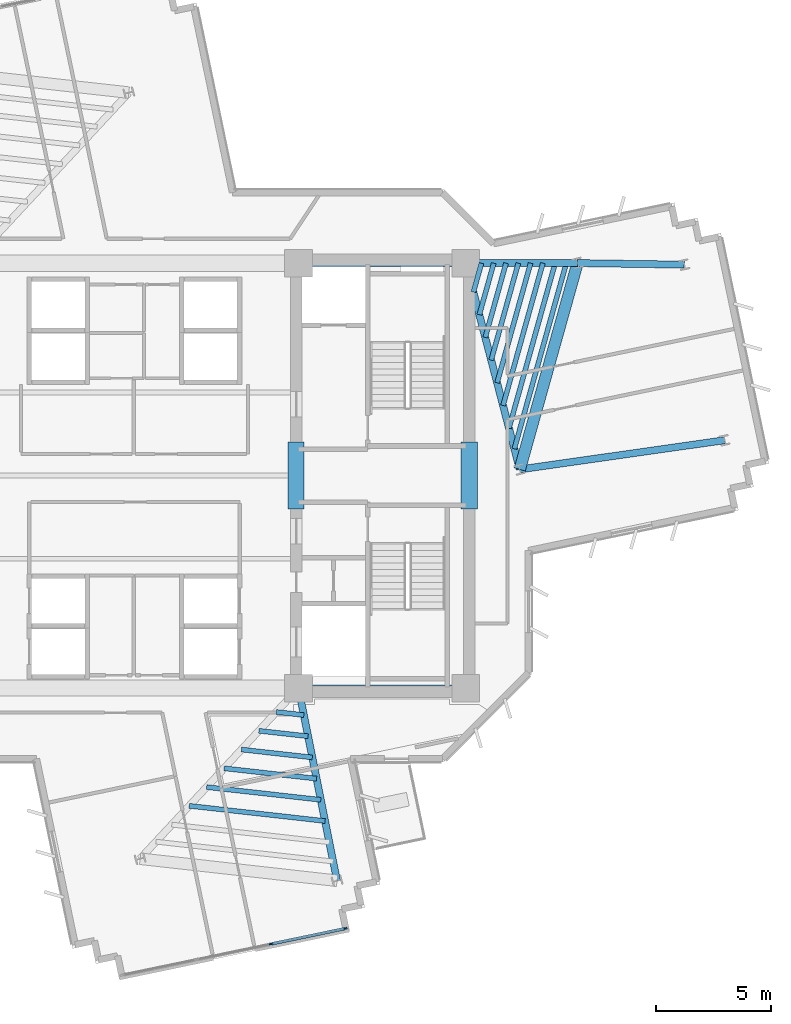
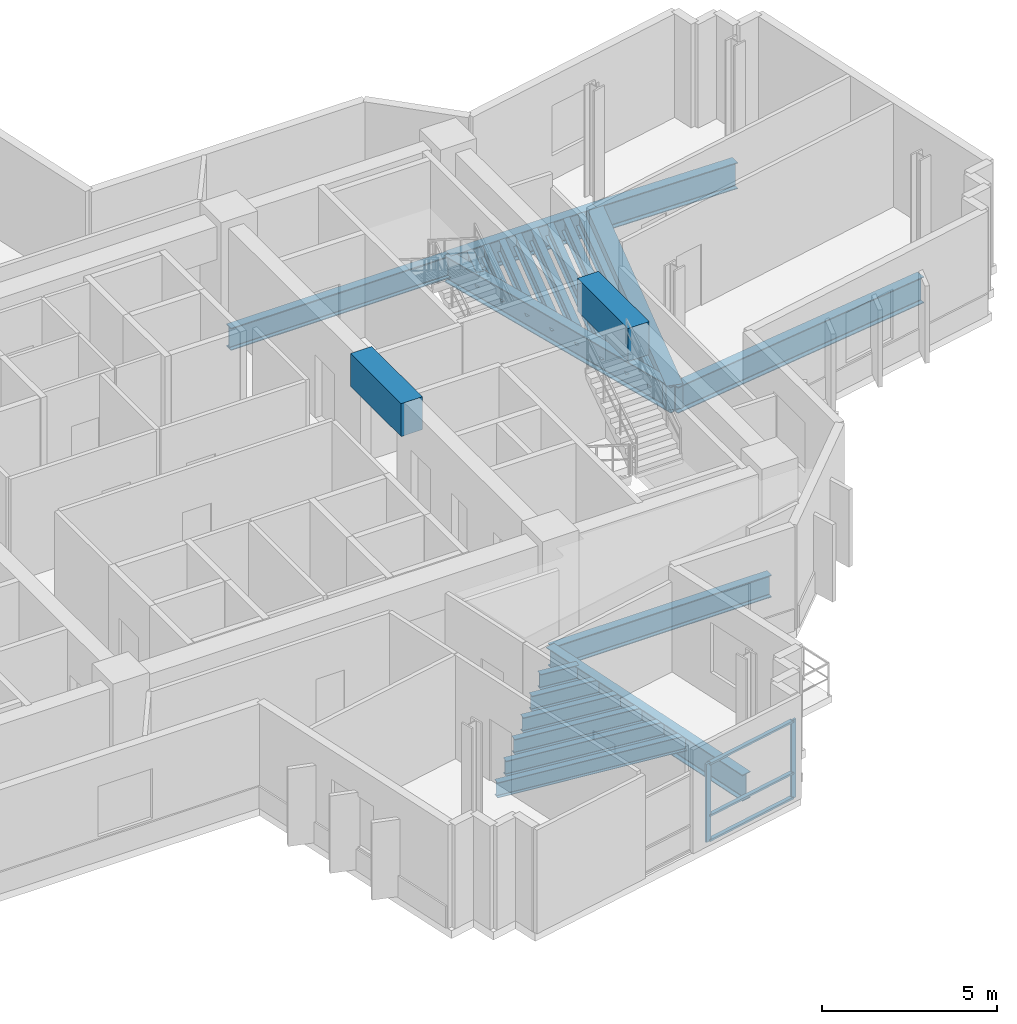
# One storey, part 4 of 14: 24 beams, 5 members, 1 element without a shape of its own.
"""IFC4 building model written with IfcOpenShell, lengths in metres."""

from ifc_helpers import new_model, si_unit, direction, frame, origin, origin_2d, place, context, subcontext, project, spatial, rectangle, i_section, extrude, source, transform, mapped, material, layer, layer_set, material_profile, profile_set, type_object, element, aggregate, save


model = new_model("IFC4")

# Units and contexts
model_context = context("Model", 3, precision=1e-05, world=origin(), true_north=direction((0.0, 1.0)))
body_context = subcontext(model_context, "Body", "Model", "MODEL_VIEW")
ifc_project = project(units=[si_unit("LENGTHUNIT", "METRE"), si_unit("AREAUNIT", "SQUARE_METRE"), si_unit("VOLUMEUNIT", "CUBIC_METRE"), si_unit("PLANEANGLEUNIT", "RADIAN"), si_unit("MASSUNIT", "GRAM", prefix="KILO")], contexts=[model_context])

# Site, building, storey
site_placement = place(None, origin())
site = spatial("IfcSite", under=ifc_project, at=site_placement, CompositionType="ELEMENT")
building_placement = place(site_placement, origin())
building = spatial("IfcBuilding", under=site, at=building_placement, Name="Zahravan Cultural Tower", CompositionType="ELEMENT")
storey_placement = place(building_placement, frame((0.0, 0.0, 166.800048828125)))
storey = spatial("IfcBuildingStorey", under=building, at=storey_placement, Name="L38", CompositionType="ELEMENT", Elevation=166.800048828125)

# Beams
ifc_material_1 = material(Name="Concrete C50/60", Category="concrete")
ifc_material_profile_1 = material_profile(ifc_material_1, rectangle(XDim=0.699951171875, YDim=1.14990234375, at=origin_2d()), Name="RC700X1150")
ifc_profile_set_1 = profile_set([ifc_material_profile_1], Name="Concrete C50/60")
beam_type_1 = type_object("IfcBeamType", Name="BM-LN-RC700X1150", PredefinedType="LINTEL", material=ifc_profile_set_1)
shared_shape_1 = source(origin(), body_context, "Body", "SweptSolid", [
    extrude(rectangle(XDim=0.699951171875, YDim=1.14990234375, at=origin_2d()), origin(), (0.0, 0.0, 1.0), 2.89990234375),
])
for number, where, z_axis, x_axis, name in (
    (1, (43.0, 25.550048828125, 3.044921875), (0.0, 1.0, 0.0), (-1.0, 0.0, 0.0), "L38 Beam LN-L38-PEW"),
    (2, (50.5, 25.550048828125, 3.044921875), (0.0, 1.0, 0.0), (-1.0, 0.0, 0.0), "L38 Beam LN-L38-PEE"),
):
    element("IfcBeam", number, at=place(storey_placement, frame(where, z_axis=z_axis, x_axis=x_axis)), inside=storey, type_object=beam_type_1, Name=name, PredefinedType="LINTEL", context=body_context, shape_type="MappedRepresentation", body=[
        mapped(shared_shape_1, transform((0.0, 0.0, 0.0), x_axis=(1.0, 0.0, 0.0), y_axis=(0.0, 1.0, 0.0), z_axis=(0.0, 0.0, 1.0), scale=1.0)),
    ])
ifc_material_2 = material(Name="Steel ASTM A992 Grade 50", Category="steel")
ifc_material_profile_2 = material_profile(ifc_material_2, i_section(OverallWidth=0.26611328125, OverallDepth=0.780029296875, WebThickness=0.0166015625, FlangeThickness=0.030029296875, FilletRadius=0.01904296875, at=origin_2d()), Name="W30X148")
ifc_profile_set_2 = profile_set([ifc_material_profile_2], Name="Steel ASTM A992 Grade 50")
beam_type_2 = type_object("IfcBeamType", Name="BM-G-W30X148", PredefinedType="BEAM", material=ifc_profile_set_2)
shared_shape_2 = source(origin(), body_context, "Body", "SweptSolid", [
    extrude(i_section(OverallWidth=0.26611328125, OverallDepth=0.780029296875, WebThickness=0.0166015625, FlangeThickness=0.030029296875, FilletRadius=0.01904296875, at=origin_2d()), origin(), (0.0, 0.0, 1.0), 7.25),
])
for number, where, z_axis, x_axis, name in (
    (3, (43.10009765625, 17.800048828125, -0.670166015625), (1.0, 0.0, 0.0), (0.0, 1.0, 0.0), "L38 Beam BG-L38-04"),
    (4, (43.10009765625, 36.199951171875, -0.670166015625), (1.0, 0.0, 0.0), (0.0, 1.0, 0.0), "L38 Beam BG-L38-05"),
):
    element("IfcBeam", number, at=place(storey_placement, frame(where, z_axis=z_axis, x_axis=x_axis)), inside=storey, type_object=beam_type_2, Name=name, PredefinedType="BEAM", context=body_context, shape_type="MappedRepresentation", body=[
        mapped(shared_shape_2, transform((0.0, 0.0, 0.0), x_axis=(1.0, 0.0, 0.0), y_axis=(0.0, 1.0, 0.0), z_axis=(0.0, 0.0, 1.0), scale=1.0)),
    ])
ifc_material_profile_3 = material_profile(ifc_material_2, i_section(OverallWidth=0.304931640625, OverallDepth=0.9189453125, WebThickness=0.017333984375, FlangeThickness=0.02783203125, FilletRadius=0.02392578125, at=origin_2d()), Name="W36X170")
ifc_profile_set_3 = profile_set([ifc_material_profile_3], Name="Steel ASTM A992 Grade 50")
beam_type_3 = type_object("IfcBeamType", Name="BM-G-W36X170", PredefinedType="BEAM", material=ifc_profile_set_3)
shared_shape_3 = source(origin(), body_context, "Body", "SweptSolid", [
    extrude(i_section(OverallWidth=0.304931640625, OverallDepth=0.9189453125, WebThickness=0.017333984375, FlangeThickness=0.02783203125, FilletRadius=0.02392578125, at=origin_2d()), origin(), (0.0, 0.0, 1.0), 9.22900390625),
])
beam_1_placement = place(storey_placement, frame((50.35009765625, 36.199951171875, -0.739501953125), z_axis=(0.252922608408, -0.967486513682, 0.0), x_axis=(0.967486513682, 0.252922608408, 0.0)))
element("IfcBeam", 5, at=beam_1_placement, inside=storey, type_object=beam_type_3, Name="L38 Beam BG-L38-11", PredefinedType="BEAM", context=body_context, shape_type="MappedRepresentation", body=[
    mapped(shared_shape_3, transform((0.0, 0.0, 0.0), x_axis=(1.0, 0.0, 0.0), y_axis=(0.0, 1.0, 0.0), z_axis=(0.0, 0.0, 1.0), scale=1.0)),
])
shared_shape_4 = source(origin(), body_context, "Body", "SweptSolid", [
    extrude(i_section(OverallWidth=0.304931640625, OverallDepth=0.9189453125, WebThickness=0.017333984375, FlangeThickness=0.02783203125, FilletRadius=0.02392578125, at=origin_2d()), origin(), (0.0, 0.0, 1.0), 4.834716796875),
])
beam_2_placement = place(storey_placement, frame((50.35009765625, 36.199951171875, -0.739501953125), z_axis=(0.99999920313, 0.001262433979, 0.0), x_axis=(-0.001262433979, 0.99999920313, 0.0)))
element("IfcBeam", 6, at=beam_2_placement, inside=storey, type_object=beam_type_3, Name="L38 Beam BG-L38-12", PredefinedType="BEAM", context=body_context, shape_type="MappedRepresentation", body=[
    mapped(shared_shape_4, transform((0.0, 0.0, 0.0), x_axis=(1.0, 0.0, 0.0), y_axis=(0.0, 1.0, 0.0), z_axis=(0.0, 0.0, 1.0), scale=1.0)),
])
shared_shape_5 = source(origin(), body_context, "Body", "SweptSolid", [
    extrude(i_section(OverallWidth=0.304931640625, OverallDepth=0.9189453125, WebThickness=0.017333984375, FlangeThickness=0.02783203125, FilletRadius=0.02392578125, at=origin_2d()), origin(), (0.0, 0.0, 1.0), 8.50732421875),
])
beam_3_placement = place(storey_placement, frame((43.10009765625, 17.800048828125, -0.739501953125), z_axis=(0.196524514012, -0.980498911469, 0.0), x_axis=(0.980498911469, 0.196524514012, 0.0)))
element("IfcBeam", 7, at=beam_3_placement, inside=storey, type_object=beam_type_3, Name="L38 Beam BG-L38-10", PredefinedType="BEAM", context=body_context, shape_type="MappedRepresentation", body=[
    mapped(shared_shape_5, transform((0.0, 0.0, 0.0), x_axis=(1.0, 0.0, 0.0), y_axis=(0.0, 1.0, 0.0), z_axis=(0.0, 0.0, 1.0), scale=1.0)),
])
shared_shape_6 = source(origin(), body_context, "Body", "SweptSolid", [
    extrude(i_section(OverallWidth=0.304931640625, OverallDepth=0.9189453125, WebThickness=0.017333984375, FlangeThickness=0.02783203125, FilletRadius=0.02392578125, at=origin_2d()), origin(), (0.0, 0.0, 1.0), 8.9580078125),
])
beam_4_placement = place(storey_placement, frame((52.684326171875, 27.27099609375, -0.739501953125), z_axis=(0.990000122431, 0.141066500584, 0.0), x_axis=(-0.141066500584, 0.990000122431, 0.0)))
element("IfcBeam", 8, at=beam_4_placement, inside=storey, type_object=beam_type_3, Name="L38 Beam BG-L38-15", PredefinedType="BEAM", context=body_context, shape_type="MappedRepresentation", body=[
    mapped(shared_shape_6, transform((0.0, 0.0, 0.0), x_axis=(1.0, 0.0, 0.0), y_axis=(0.0, 1.0, 0.0), z_axis=(0.0, 0.0, 1.0), scale=1.0)),
])
shared_shape_7 = source(origin(), body_context, "Body", "SweptSolid", [
    extrude(i_section(OverallWidth=0.304931640625, OverallDepth=0.9189453125, WebThickness=0.017333984375, FlangeThickness=0.02783203125, FilletRadius=0.02392578125, at=origin_2d()), origin(), (0.0, 0.0, 1.0), 4.622314453125),
])
beam_5_placement = place(storey_placement, frame((55.184814453125, 36.2060546875, -0.739501953125), z_axis=(0.999889070044, -0.014894549562, 0.0), x_axis=(0.014894549562, 0.999889070044, 0.0)))
element("IfcBeam", 9, at=beam_5_placement, inside=storey, type_object=beam_type_3, Name="L38 Beam BG-L38-16", PredefinedType="BEAM", context=body_context, shape_type="MappedRepresentation", body=[
    mapped(shared_shape_7, transform((0.0, 0.0, 0.0), x_axis=(1.0, 0.0, 0.0), y_axis=(0.0, 1.0, 0.0), z_axis=(0.0, 0.0, 1.0), scale=1.0)),
])
ifc_material_profile_4 = material_profile(ifc_material_1, rectangle(XDim=0.5, YDim=0.85009765625, at=origin_2d()), Name="RC500X850")
ifc_profile_set_4 = profile_set([ifc_material_profile_4], Name="Concrete C50/60")
beam_type_4 = type_object("IfcBeamType", Name="BM-SP-RC500X850", PredefinedType="SPANDREL", material=ifc_profile_set_4)
shared_shape_8 = source(origin(), body_context, "Body", "SweptSolid", [
    extrude(rectangle(XDim=0.5, YDim=0.85009765625, at=origin_2d()), origin(), (0.0, 0.0, 1.0), 9.2783203125),
])
beam_6_placement = place(storey_placement, frame((52.684326171875, 27.27099609375, -0.705078125), z_axis=(0.269497187032, 0.963001176625, 0.0), x_axis=(-0.963001176625, 0.269497187032, 0.0)))
element("IfcBeam", 10, at=beam_6_placement, inside=storey, type_object=beam_type_4, Name="L38 Beam SP-L38-21", PredefinedType="SPANDREL", context=body_context, shape_type="MappedRepresentation", body=[
    mapped(shared_shape_8, transform((0.0, 0.0, 0.0), x_axis=(1.0, 0.0, 0.0), y_axis=(0.0, 1.0, 0.0), z_axis=(0.0, 0.0, 1.0), scale=1.0)),
])
ifc_material_profile_5 = material_profile(ifc_material_2, i_section(OverallWidth=0.2099609375, OverallDepth=0.532958984375, WebThickness=0.01025390625, FlangeThickness=0.015625, FilletRadius=0.013916015625, at=origin_2d()), Name="W21X62")
ifc_profile_set_5 = profile_set([ifc_material_profile_5], Name="Steel ASTM A992 Grade 50")
beam_type_5 = type_object("IfcBeamType", Name="BM-J-W21X62", PredefinedType="JOIST", material=ifc_profile_set_5)
shared_shape_9 = source(origin(), body_context, "Body", "SweptSolid", [
    extrude(i_section(OverallWidth=0.2099609375, OverallDepth=0.532958984375, WebThickness=0.01025390625, FlangeThickness=0.015625, FilletRadius=0.013916015625, at=origin_2d()), origin(), (0.0, 0.0, 1.0), 1.299072265625),
])
beam_7_placement = place(storey_placement, frame((50.6767578125, 34.949951171875, -0.546630859375), z_axis=(0.269504444708, 0.962999145525, 0.0), x_axis=(-0.962999145525, 0.269504444708, 0.0)))
element("IfcBeam", 11, at=beam_7_placement, inside=storey, type_object=beam_type_5, Name="L38 Beam BJ-L38-42", PredefinedType="JOIST", context=body_context, shape_type="MappedRepresentation", body=[
    mapped(shared_shape_9, transform((0.0, 0.0, 0.0), x_axis=(1.0, 0.0, 0.0), y_axis=(0.0, 1.0, 0.0), z_axis=(0.0, 0.0, 1.0), scale=1.0)),
])
shared_shape_10 = source(origin(), body_context, "Body", "SweptSolid", [
    extrude(i_section(OverallWidth=0.2099609375, OverallDepth=0.532958984375, WebThickness=0.01025390625, FlangeThickness=0.015625, FilletRadius=0.013916015625, at=origin_2d()), origin(), (0.0, 0.0, 1.0), 2.3193359375),
])
beam_8_placement = place(storey_placement, frame((50.93359375, 33.9677734375, -0.546630859375), z_axis=(0.269462038626, 0.963011012263, 0.0), x_axis=(-0.963011012263, 0.269462038626, 0.0)))
element("IfcBeam", 12, at=beam_8_placement, inside=storey, type_object=beam_type_5, Name="L38 Beam BJ-L38-43", PredefinedType="JOIST", context=body_context, shape_type="MappedRepresentation", body=[
    mapped(shared_shape_10, transform((0.0, 0.0, 0.0), x_axis=(1.0, 0.0, 0.0), y_axis=(0.0, 1.0, 0.0), z_axis=(0.0, 0.0, 1.0), scale=1.0)),
])
shared_shape_11 = source(origin(), body_context, "Body", "SweptSolid", [
    extrude(i_section(OverallWidth=0.2099609375, OverallDepth=0.532958984375, WebThickness=0.01025390625, FlangeThickness=0.015625, FilletRadius=0.013916015625, at=origin_2d()), origin(), (0.0, 0.0, 1.0), 3.340087890625),
])
beam_9_placement = place(storey_placement, frame((51.190185546875, 32.985595703125, -0.546630859375), z_axis=(0.269562146951, 0.962982995141, 0.0), x_axis=(-0.962982995141, 0.269562146951, 0.0)))
element("IfcBeam", 13, at=beam_9_placement, inside=storey, type_object=beam_type_5, Name="L38 Beam BJ-L38-44", PredefinedType="JOIST", context=body_context, shape_type="MappedRepresentation", body=[
    mapped(shared_shape_11, transform((0.0, 0.0, 0.0), x_axis=(1.0, 0.0, 0.0), y_axis=(0.0, 1.0, 0.0), z_axis=(0.0, 0.0, 1.0), scale=1.0)),
])
shared_shape_12 = source(origin(), body_context, "Body", "SweptSolid", [
    extrude(i_section(OverallWidth=0.2099609375, OverallDepth=0.532958984375, WebThickness=0.01025390625, FlangeThickness=0.015625, FilletRadius=0.013916015625, at=origin_2d()), origin(), (0.0, 0.0, 1.0), 4.36083984375),
])
beam_10_placement = place(storey_placement, frame((51.447021484375, 32.00341796875, -0.546630859375), z_axis=(0.269511557673, 0.962997154866, 0.0), x_axis=(-0.962997154866, 0.269511557673, 0.0)))
element("IfcBeam", 14, at=beam_10_placement, inside=storey, type_object=beam_type_5, Name="L38 Beam BJ-L38-45", PredefinedType="JOIST", context=body_context, shape_type="MappedRepresentation", body=[
    mapped(shared_shape_12, transform((0.0, 0.0, 0.0), x_axis=(1.0, 0.0, 0.0), y_axis=(0.0, 1.0, 0.0), z_axis=(0.0, 0.0, 1.0), scale=1.0)),
])
shared_shape_13 = source(origin(), body_context, "Body", "SweptSolid", [
    extrude(i_section(OverallWidth=0.2099609375, OverallDepth=0.532958984375, WebThickness=0.01025390625, FlangeThickness=0.015625, FilletRadius=0.013916015625, at=origin_2d()), origin(), (0.0, 0.0, 1.0), 5.3818359375),
])
beam_11_placement = place(storey_placement, frame((51.703857421875, 31.02099609375, -0.546630859375), z_axis=(0.269510454638, 0.962997463569, 0.0), x_axis=(-0.962997463569, 0.269510454638, 0.0)))
element("IfcBeam", 15, at=beam_11_placement, inside=storey, type_object=beam_type_5, Name="L38 Beam BJ-L38-46", PredefinedType="JOIST", context=body_context, shape_type="MappedRepresentation", body=[
    mapped(shared_shape_13, transform((0.0, 0.0, 0.0), x_axis=(1.0, 0.0, 0.0), y_axis=(0.0, 1.0, 0.0), z_axis=(0.0, 0.0, 1.0), scale=1.0)),
])
shared_shape_14 = source(origin(), body_context, "Body", "SweptSolid", [
    extrude(i_section(OverallWidth=0.2099609375, OverallDepth=0.532958984375, WebThickness=0.01025390625, FlangeThickness=0.015625, FilletRadius=0.013916015625, at=origin_2d()), origin(), (0.0, 0.0, 1.0), 6.402099609375),
])
beam_12_placement = place(storey_placement, frame((51.960693359375, 30.038818359375, -0.546630859375), z_axis=(0.269494133533, 0.963002031146, 0.0), x_axis=(-0.963002031146, 0.269494133533, 0.0)))
element("IfcBeam", 16, at=beam_12_placement, inside=storey, type_object=beam_type_5, Name="L38 Beam BJ-L38-47", PredefinedType="JOIST", context=body_context, shape_type="MappedRepresentation", body=[
    mapped(shared_shape_14, transform((0.0, 0.0, 0.0), x_axis=(1.0, 0.0, 0.0), y_axis=(0.0, 1.0, 0.0), z_axis=(0.0, 0.0, 1.0), scale=1.0)),
])
shared_shape_15 = source(origin(), body_context, "Body", "SweptSolid", [
    extrude(i_section(OverallWidth=0.2099609375, OverallDepth=0.532958984375, WebThickness=0.01025390625, FlangeThickness=0.015625, FilletRadius=0.013916015625, at=origin_2d()), origin(), (0.0, 0.0, 1.0), 7.4228515625),
])
beam_13_placement = place(storey_placement, frame((52.21728515625, 29.056640625, -0.546630859375), z_axis=(0.269504266128, 0.962999195503, 0.0), x_axis=(-0.962999195503, 0.269504266128, 0.0)))
element("IfcBeam", 17, at=beam_13_placement, inside=storey, type_object=beam_type_5, Name="L38 Beam BJ-L38-48", PredefinedType="JOIST", context=body_context, shape_type="MappedRepresentation", body=[
    mapped(shared_shape_15, transform((0.0, 0.0, 0.0), x_axis=(1.0, 0.0, 0.0), y_axis=(0.0, 1.0, 0.0), z_axis=(0.0, 0.0, 1.0), scale=1.0)),
])
shared_shape_16 = source(origin(), body_context, "Body", "SweptSolid", [
    extrude(i_section(OverallWidth=0.2099609375, OverallDepth=0.532958984375, WebThickness=0.01025390625, FlangeThickness=0.015625, FilletRadius=0.013916015625, at=origin_2d()), origin(), (0.0, 0.0, 1.0), 8.350830078125),
])
beam_14_placement = place(storey_placement, frame((52.450927734375, 28.163818359375, -0.546630859375), z_axis=(0.269496539555, 0.963001357822, 0.0), x_axis=(-0.963001357822, 0.269496539555, 0.0)))
element("IfcBeam", 18, at=beam_14_placement, inside=storey, type_object=beam_type_5, Name="L38 Beam BJ-L38-49", PredefinedType="JOIST", context=body_context, shape_type="MappedRepresentation", body=[
    mapped(shared_shape_16, transform((0.0, 0.0, 0.0), x_axis=(1.0, 0.0, 0.0), y_axis=(0.0, 1.0, 0.0), z_axis=(0.0, 0.0, 1.0), scale=1.0)),
])
shared_shape_17 = source(origin(), body_context, "Body", "SweptSolid", [
    extrude(i_section(OverallWidth=0.2099609375, OverallDepth=0.532958984375, WebThickness=0.01025390625, FlangeThickness=0.015625, FilletRadius=0.013916015625, at=origin_2d()), origin(), (0.0, 0.0, 1.0), 1.201171875),
])
beam_15_placement = place(storey_placement, frame((42.140380859375, 16.765625, -0.546630859375), z_axis=(0.99379916149, -0.111190047317, 0.0), x_axis=(0.111190047317, 0.99379916149, 0.0)))
element("IfcBeam", 19, at=beam_15_placement, inside=storey, type_object=beam_type_5, Name="L38 Beam BJ-L38-34", PredefinedType="JOIST", context=body_context, shape_type="MappedRepresentation", body=[
    mapped(shared_shape_17, transform((0.0, 0.0, 0.0), x_axis=(1.0, 0.0, 0.0), y_axis=(0.0, 1.0, 0.0), z_axis=(0.0, 0.0, 1.0), scale=1.0)),
])
shared_shape_18 = source(origin(), body_context, "Body", "SweptSolid", [
    extrude(i_section(OverallWidth=0.2099609375, OverallDepth=0.532958984375, WebThickness=0.01025390625, FlangeThickness=0.015625, FilletRadius=0.013916015625, at=origin_2d()), origin(), (0.0, 0.0, 1.0), 2.144775390625),
])
beam_16_placement = place(storey_placement, frame((41.386474609375, 15.953125, -0.546630859375), z_axis=(0.993797370806, -0.111206051, 0.0), x_axis=(0.111206051, 0.993797370806, 0.0)))
element("IfcBeam", 20, at=beam_16_placement, inside=storey, type_object=beam_type_5, Name="L38 Beam BJ-L38-35", PredefinedType="JOIST", context=body_context, shape_type="MappedRepresentation", body=[
    mapped(shared_shape_18, transform((0.0, 0.0, 0.0), x_axis=(1.0, 0.0, 0.0), y_axis=(0.0, 1.0, 0.0), z_axis=(0.0, 0.0, 1.0), scale=1.0)),
])
shared_shape_19 = source(origin(), body_context, "Body", "SweptSolid", [
    extrude(i_section(OverallWidth=0.2099609375, OverallDepth=0.532958984375, WebThickness=0.01025390625, FlangeThickness=0.015625, FilletRadius=0.013916015625, at=origin_2d()), origin(), (0.0, 0.0, 1.0), 3.088623046875),
])
beam_17_placement = place(storey_placement, frame((40.63232421875, 15.140380859375, -0.546630859375), z_axis=(0.993805407368, -0.111134208443, 0.0), x_axis=(0.111134208443, 0.993805407368, 0.0)))
element("IfcBeam", 21, at=beam_17_placement, inside=storey, type_object=beam_type_5, Name="L38 Beam BJ-L38-36", PredefinedType="JOIST", context=body_context, shape_type="MappedRepresentation", body=[
    mapped(shared_shape_19, transform((0.0, 0.0, 0.0), x_axis=(1.0, 0.0, 0.0), y_axis=(0.0, 1.0, 0.0), z_axis=(0.0, 0.0, 1.0), scale=1.0)),
])
shared_shape_20 = source(origin(), body_context, "Body", "SweptSolid", [
    extrude(i_section(OverallWidth=0.2099609375, OverallDepth=0.532958984375, WebThickness=0.01025390625, FlangeThickness=0.015625, FilletRadius=0.013916015625, at=origin_2d()), origin(), (0.0, 0.0, 1.0), 4.0322265625),
])
beam_18_placement = place(storey_placement, frame((39.87841796875, 14.327880859375, -0.546630859375), z_axis=(0.993802245601, -0.11116247855, 0.0), x_axis=(0.11116247855, 0.993802245601, 0.0)))
element("IfcBeam", 22, at=beam_18_placement, inside=storey, type_object=beam_type_5, Name="L38 Beam BJ-L38-37", PredefinedType="JOIST", context=body_context, shape_type="MappedRepresentation", body=[
    mapped(shared_shape_20, transform((0.0, 0.0, 0.0), x_axis=(1.0, 0.0, 0.0), y_axis=(0.0, 1.0, 0.0), z_axis=(0.0, 0.0, 1.0), scale=1.0)),
])
shared_shape_21 = source(origin(), body_context, "Body", "SweptSolid", [
    extrude(i_section(OverallWidth=0.2099609375, OverallDepth=0.532958984375, WebThickness=0.01025390625, FlangeThickness=0.015625, FilletRadius=0.013916015625, at=origin_2d()), origin(), (0.0, 0.0, 1.0), 4.97607421875),
])
beam_19_placement = place(storey_placement, frame((39.124267578125, 13.51513671875, -0.546630859375), z_axis=(0.993806308517, -0.111126149723, 0.0), x_axis=(0.111126149723, 0.993806308517, 0.0)))
element("IfcBeam", 23, at=beam_19_placement, inside=storey, type_object=beam_type_5, Name="L38 Beam BJ-L38-38", PredefinedType="JOIST", context=body_context, shape_type="MappedRepresentation", body=[
    mapped(shared_shape_21, transform((0.0, 0.0, 0.0), x_axis=(1.0, 0.0, 0.0), y_axis=(0.0, 1.0, 0.0), z_axis=(0.0, 0.0, 1.0), scale=1.0)),
])
shared_shape_22 = source(origin(), body_context, "Body", "SweptSolid", [
    extrude(i_section(OverallWidth=0.2099609375, OverallDepth=0.532958984375, WebThickness=0.01025390625, FlangeThickness=0.015625, FilletRadius=0.013916015625, at=origin_2d()), origin(), (0.0, 0.0, 1.0), 5.919921875),
])
beam_20_placement = place(storey_placement, frame((38.370361328125, 12.70263671875, -0.546630859375), z_axis=(0.993804520866, -0.111142135602, 0.0), x_axis=(0.111142135602, 0.993804520866, 0.0)))
element("IfcBeam", 24, at=beam_20_placement, inside=storey, type_object=beam_type_5, Name="L38 Beam BJ-L38-39", PredefinedType="JOIST", context=body_context, shape_type="MappedRepresentation", body=[
    mapped(shared_shape_22, transform((0.0, 0.0, 0.0), x_axis=(1.0, 0.0, 0.0), y_axis=(0.0, 1.0, 0.0), z_axis=(0.0, 0.0, 1.0), scale=1.0)),
])

# Curtain wall, members
ifc_material_3 = material(Name="Anodised bronze-aluminium mullion", Category="aluminium")
ifc_layer = layer(ifc_material_3, 0.1650390625)
ifc_layer_set = layer_set([ifc_layer], Name="Anodised bronze-aluminium mullion")
curtain_wall_type = type_object("IfcCurtainWallType", Name="CW-SYS-4", PredefinedType="USERDEFINED", material=ifc_layer_set)
curtain_wall_placement = place(storey_placement, origin())
curtain_wall = element("IfcCurtainWall", 25, at=curtain_wall_placement, inside=storey, type_object=curtain_wall_type, Name="L38 Recessed Curtain Wall CW-4.1", ObjectType="RECESSED GLAZING", PredefinedType="USERDEFINED")
ifc_material_profile_6 = material_profile(ifc_material_3, rectangle(XDim=0.06494140625, YDim=0.1650390625, at=origin_2d()), Name="AL-M65X165")
ifc_profile_set_6 = profile_set([ifc_material_profile_6], Name="Anodised bronze-aluminium mullion")
member_type_1 = type_object("IfcMemberType", Name="CWM-CW-4", PredefinedType="MULLION", material=ifc_profile_set_6)
shared_shape_23 = source(origin(), body_context, "Body", "SweptSolid", [
    extrude(rectangle(XDim=0.06494140625, YDim=0.1650390625, at=origin_2d()), origin(), (0.0, 0.0, 1.0), 2.739990234375),
])
member_1_placement = place(storey_placement, frame((45.123291015625, 7.3896484375, 0.0), z_axis=(0.0, 0.0, 1.0), x_axis=(0.204162369415, -0.978937039301, 0.0)))
member_1 = element("IfcMember", 26, at=member_1_placement, type_object=member_type_1, Name="CW-4 mullion 1", PredefinedType="MULLION", context=body_context, shape_type="MappedRepresentation", body=[
    mapped(shared_shape_23, transform((0.0, 0.0, 0.0), x_axis=(1.0, 0.0, 0.0), y_axis=(0.0, 1.0, 0.0), z_axis=(0.0, 0.0, 1.0), scale=1.0)),
])
member_2_placement = place(storey_placement, frame((41.91796875, 6.72119140625, 0.0), z_axis=(0.0, 0.0, 1.0), x_axis=(0.204162369415, -0.978937039301, 0.0)))
member_2 = element("IfcMember", 27, at=member_2_placement, type_object=member_type_1, Name="CW-4 mullion 2", PredefinedType="MULLION", context=body_context, shape_type="MappedRepresentation", body=[
    mapped(shared_shape_23, transform((0.0, 0.0, 0.0), x_axis=(1.0, 0.0, 0.0), y_axis=(0.0, 1.0, 0.0), z_axis=(0.0, 0.0, 1.0), scale=1.0)),
])
ifc_material_profile_7 = material_profile(ifc_material_3, rectangle(XDim=0.1298828125, YDim=0.06494140625, at=origin_2d()), Name="AL-T65X130")
ifc_profile_set_7 = profile_set([ifc_material_profile_7], Name="Anodised bronze-aluminium mullion")
member_type_2 = type_object("IfcMemberType", Name="CWT-CW-4", PredefinedType="USERDEFINED", material=ifc_profile_set_7)
shared_shape_24 = source(origin(), body_context, "Body", "SweptSolid", [
    extrude(rectangle(XDim=0.1298828125, YDim=0.06494140625, at=origin_2d()), origin(), (0.0, 0.0, 1.0), 3.209228515625),
])
member_3_placement = place(storey_placement, frame((45.091552734375, 7.3828125, 0.032470703125), z_axis=(-0.978947495526, -0.204112226492, 0.0), x_axis=(0.204112226492, -0.978947495526, 0.0)))
member_3 = element("IfcMember", 28, at=member_3_placement, type_object=member_type_2, Name="CW-4 transom 1.1", ObjectType="TRANSOM", PredefinedType="USERDEFINED", context=body_context, shape_type="MappedRepresentation", body=[
    mapped(shared_shape_24, transform((0.0, 0.0, 0.0), x_axis=(1.0, 0.0, 0.0), y_axis=(0.0, 1.0, 0.0), z_axis=(0.0, 0.0, 1.0), scale=1.0)),
])
member_4_placement = place(storey_placement, frame((45.091552734375, 7.3828125, 0.89990234375), z_axis=(-0.978947495526, -0.204112226492, 0.0), x_axis=(0.204112226492, -0.978947495526, 0.0)))
member_4 = element("IfcMember", 29, at=member_4_placement, type_object=member_type_2, Name="CW-4 transom 1.2", ObjectType="TRANSOM", PredefinedType="USERDEFINED", context=body_context, shape_type="MappedRepresentation", body=[
    mapped(shared_shape_24, transform((0.0, 0.0, 0.0), x_axis=(1.0, 0.0, 0.0), y_axis=(0.0, 1.0, 0.0), z_axis=(0.0, 0.0, 1.0), scale=1.0)),
])
member_5_placement = place(storey_placement, frame((45.091552734375, 7.3828125, 2.70751953125), z_axis=(-0.978947495526, -0.204112226492, 0.0), x_axis=(0.204112226492, -0.978947495526, 0.0)))
member_5 = element("IfcMember", 30, at=member_5_placement, type_object=member_type_2, Name="CW-4 transom 1.3", ObjectType="TRANSOM", PredefinedType="USERDEFINED", context=body_context, shape_type="MappedRepresentation", body=[
    mapped(shared_shape_24, transform((0.0, 0.0, 0.0), x_axis=(1.0, 0.0, 0.0), y_axis=(0.0, 1.0, 0.0), z_axis=(0.0, 0.0, 1.0), scale=1.0)),
])
aggregate(curtain_wall, [member_1, member_2, member_3, member_4, member_5])

save(model, "model.ifc")
